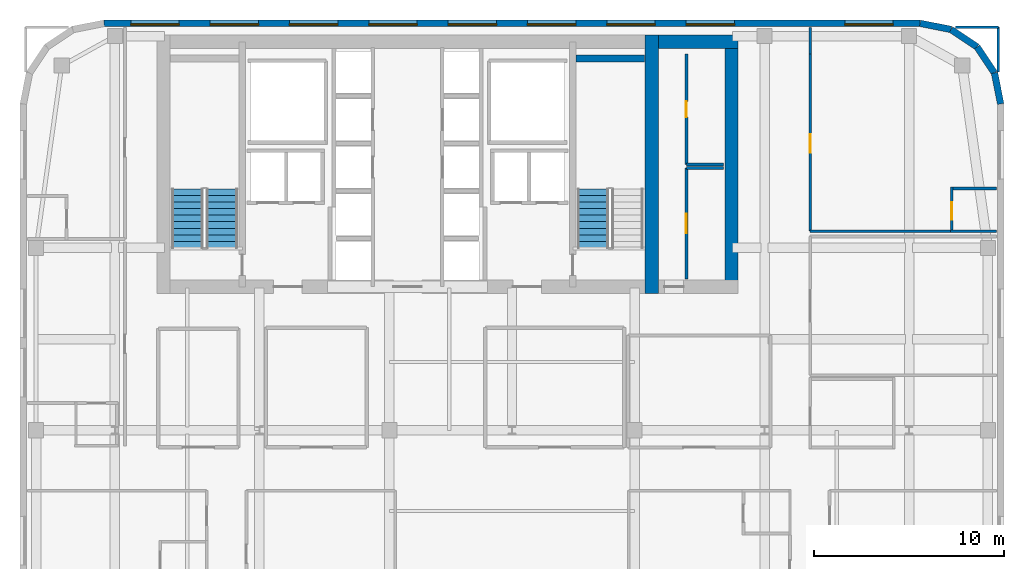
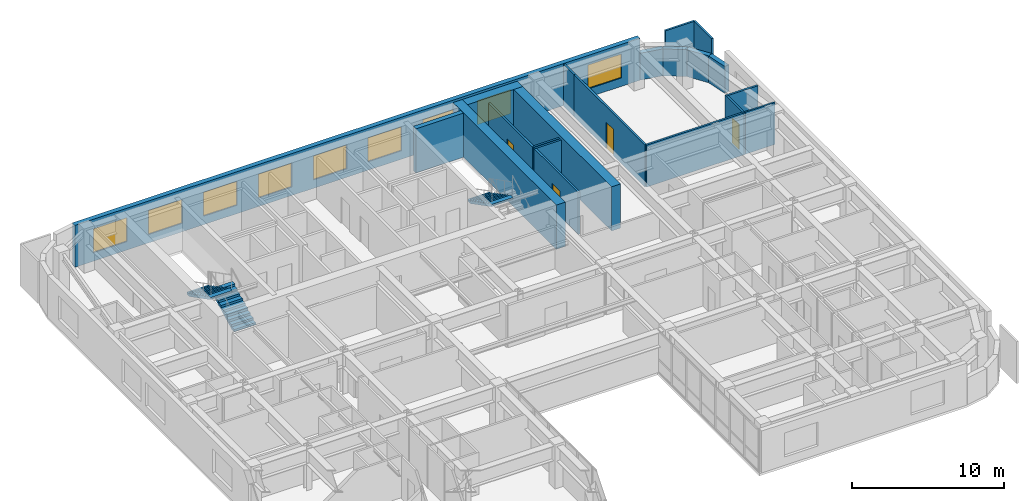
# One storey, part 12 of 14: 21 walls, 9 windows, 4 doors, 3 stair flights, 13 openings, 2 elements without a shape of their own.
"""IFC4 building model written with IfcOpenShell, lengths in metres."""

from ifc_helpers import new_model, si_unit, direction, frame, frame_2d, origin, place, context, subcontext, project, spatial, polyline, rectangle, outline, extrude, source, transform, mapped, material, layer, layer_set, type_object, type_shapes, element, fill, aggregate, save


model = new_model("IFC4")

# Units and contexts
model_context = context("Model", 3, precision=1e-05, world=origin(), true_north=direction((0.0, 1.0)))
body_context = subcontext(model_context, "Body", "Model", "MODEL_VIEW")
ifc_project = project(units=[si_unit("LENGTHUNIT", "METRE"), si_unit("AREAUNIT", "SQUARE_METRE"), si_unit("VOLUMEUNIT", "CUBIC_METRE"), si_unit("PLANEANGLEUNIT", "RADIAN"), si_unit("MASSUNIT", "GRAM", prefix="KILO")], contexts=[model_context])

# Site, building, storey
site_placement = place(None, origin())
site = spatial("IfcSite", under=ifc_project, at=site_placement, CompositionType="ELEMENT")
building_placement = place(site_placement, origin())
building = spatial("IfcBuilding", under=site, at=building_placement, Name="Tolvann Quenvar Hotel", CompositionType="ELEMENT")
storey_placement = place(building_placement, frame((0.0, 0.0, 150.60009765625)))
storey = spatial("IfcBuildingStorey", under=building, at=storey_placement, Name="L39", CompositionType="ELEMENT", Elevation=150.60009765625)

# Walls
ifc_material_1 = material(Name="Concrete S65 (65 MPa)", Category="concrete")
ifc_layer_1 = layer(ifc_material_1, 0.699951171875)
ifc_layer_set_1 = layer_set([ifc_layer_1], Name="Concrete S65 (65 MPa)")
wall_type_1 = type_object("IfcWallType", Name="WALL_CORE_700", PredefinedType="SHEAR", material=ifc_layer_set_1)
wall_1_placement = place(storey_placement, frame((35.85009765625, 31.60009765625, 0.0), z_axis=(0.0, 0.0, 1.0), x_axis=(0.0, 1.0, 0.0)))
element("IfcWall", 1, at=wall_1_placement, inside=storey, type_object=wall_type_1, Name="Rear Core E Shear Wall (L39)", PredefinedType="SHEAR", context=body_context, shape_type="SweptSolid", body=[
    extrude(rectangle(XDim=13.599853515625, YDim=0.699951171875, at=frame_2d((6.7998046875, 0.0))), origin(), (0.0, 0.0, 1.0), 3.5498046875),
])
wall_2_placement = place(storey_placement, frame((36.199951171875, 44.85009765625, 0.0), z_axis=(0.0, 0.0, 1.0), x_axis=(1.0, 0.0, 0.0)))
element("IfcWall", 2, at=wall_2_placement, inside=storey, type_object=wall_type_1, Name="Core East Annex Shear Wall ANN-N (L39)", PredefinedType="SHEAR", context=body_context, shape_type="SweptSolid", body=[
    extrude(rectangle(XDim=4.199951171875, YDim=0.699951171875, at=frame_2d((2.10009765625, 0.0))), origin(), (0.0, 0.0, 1.0), 3.5498046875),
])
wall_3_placement = place(storey_placement, frame((40.050048828125, 31.60009765625, 0.0), z_axis=(0.0, 0.0, 1.0), x_axis=(0.0, 1.0, 0.0)))
element("IfcWall", 3, at=wall_3_placement, inside=storey, type_object=wall_type_1, Name="Core East Annex Shear Wall ANN-E (L39)", PredefinedType="SHEAR", context=body_context, shape_type="SweptSolid", body=[
    extrude(rectangle(XDim=13.599853515625, YDim=0.699951171875, at=frame_2d((6.7998046875, 0.0))), origin(), (0.0, 0.0, 1.0), 3.5498046875),
])
ifc_layer_2 = layer(ifc_material_1, 0.35009765625)
ifc_layer_set_2 = layer_set([ifc_layer_2], Name="Concrete S65 (65 MPa)")
wall_type_2 = type_object("IfcWallType", Name="WALL_CORE_INT_350", PredefinedType="SHEAR", material=ifc_layer_set_2)
wall_4_placement = place(storey_placement, frame((31.8798828125, 43.97509765625, 0.0), z_axis=(0.0, 0.0, 1.0), x_axis=(1.0, 0.0, 0.0)))
element("IfcWall", 4, at=wall_4_placement, inside=storey, type_object=wall_type_2, Name="Core Stair North Closing Shear Wall STC2-N (L39)", PredefinedType="SHEAR", context=body_context, shape_type="SweptSolid", body=[
    extrude(rectangle(XDim=3.60009765625, YDim=0.35009765625, at=frame_2d((1.800048828125, 0.0))), origin(), (0.0, 0.0, 1.0), 3.5498046875),
])
ifc_material_2 = material(Name="Kiln-fired red and buff architectural clay brickwork and terracotta masonry", Category="masonry")
ifc_layer_3 = layer(ifc_material_2, 0.35009765625)
ifc_layer_set_3 = layer_set([ifc_layer_3], Name="Kiln-fired red and buff architectural clay brickwork and terracotta masonry")
wall_type_3 = type_object("IfcWallType", Name="WALL_EXT_BRICK_350", PredefinedType="SOLIDWALL", material=ifc_layer_set_3)
wall_5_placement = place(storey_placement, frame((54.22509765625, 41.582763671875, 0.0), z_axis=(0.0, 0.0, 1.0), x_axis=(-0.195044345786, 0.980794424524, 0.0)))
element("IfcWall", 5, at=wall_5_placement, inside=storey, type_object=wall_type_3, Name="Exterior Chicago Brick Wall L39-E14", PredefinedType="SOLIDWALL", context=body_context, shape_type="SweptSolid", body=[
    extrude(rectangle(XDim=1.664794921875, YDim=0.35009765625, at=frame_2d((0.83251953125, 0.0))), origin(), (0.0, 0.0, 1.0), 2.159912109375),
])
for number, where, z_axis, x_axis, name in (
    (6, (53.900390625, 43.215576171875, 0.0), (0.0, 0.0, 1.0), (-0.555623290322, 0.831434158098, 0.0), "Exterior Chicago Brick Wall L39-E15"),
    (7, (52.985107421875, 44.585205078125, 0.0), (0.0, 0.0, 1.0), (-0.831502623162, 0.555520825599, 0.0), "Exterior Chicago Brick Wall L39-E16"),
):
    element("IfcWall", number, at=place(storey_placement, frame(where, z_axis=z_axis, x_axis=x_axis)), inside=storey, type_object=wall_type_3, Name=name, PredefinedType="SOLIDWALL", context=body_context, shape_type="SweptSolid", body=[
        extrude(rectangle(XDim=1.647216796875, YDim=0.35009765625, at=frame_2d((0.82373046875, 0.0))), origin(), (0.0, 0.0, 1.0), 2.159912109375),
    ])
wall_6_placement = place(storey_placement, frame((51.615478515625, 45.500244140625, 0.0), z_axis=(0.0, 0.0, 1.0), x_axis=(-0.980788844421, 0.195072403631, 0.0)))
element("IfcWall", 8, at=wall_6_placement, inside=storey, type_object=wall_type_3, Name="Exterior Chicago Brick Wall L39-E17", PredefinedType="SOLIDWALL", context=body_context, shape_type="SweptSolid", body=[
    extrude(rectangle(XDim=1.66455078125, YDim=0.35009765625, at=frame_2d((0.832275390625, 0.0))), origin(), (0.0, 0.0, 1.0), 2.159912109375),
])

# Wall, openings, windows
wall_7_placement = place(storey_placement, frame((49.98291015625, 45.824951171875, 0.0), z_axis=(0.0, 0.0, 1.0), x_axis=(-1.0, 0.0, 0.0)))
wall_7 = element("IfcWall", 9, at=wall_7_placement, inside=storey, type_object=wall_type_3, Name="Exterior Chicago Brick Wall L39-E18", PredefinedType="SOLIDWALL", context=body_context, shape_type="SweptSolid", body=[
    extrude(rectangle(XDim=42.9658203125, YDim=0.35009765625, at=frame_2d((21.48291015625, 0.0))), origin(), (0.0, 0.0, 1.0), 3.369873046875),
])
opening_1_placement = place(wall_7_placement, frame((1.4130859375, 0.0, 0.679931640625)))
opening_1 = element("IfcOpeningElement", 10, at=opening_1_placement, cuts=wall_7, Name="Opening W-09", PredefinedType="OPENING", context=body_context, shape_type="SweptSolid", body=[
    extrude(rectangle(XDim=2.550048828125, YDim=1.919921875, at=frame_2d((1.27490234375, 0.9599609375))), frame((0.0, 0.18505859375, 0.0), z_axis=(0.0, -1.0, 0.0), x_axis=(1.0, 0.0, 0.0)), (0.0, 0.0, 1.0), 0.3701171875),
])
opening_2_placement = place(wall_7_placement, frame((9.76611328125, 0.0, 0.679931640625)))
opening_2 = element("IfcOpeningElement", 11, at=opening_2_placement, cuts=wall_7, Name="Opening W-09", PredefinedType="OPENING", context=body_context, shape_type="SweptSolid", body=[
    extrude(rectangle(XDim=2.550048828125, YDim=1.919921875, at=frame_2d((1.27490234375, 0.9599609375))), frame((0.0, 0.18505859375, 0.0), z_axis=(0.0, -1.0, 0.0), x_axis=(1.0, 0.0, 0.0)), (0.0, 0.0, 1.0), 0.3701171875),
])
opening_3_placement = place(wall_7_placement, frame((13.943115234375, 0.0, 0.679931640625)))
opening_3 = element("IfcOpeningElement", 12, at=opening_3_placement, cuts=wall_7, Name="Opening W-09", PredefinedType="OPENING", context=body_context, shape_type="SweptSolid", body=[
    extrude(rectangle(XDim=2.550048828125, YDim=1.919921875, at=frame_2d((1.27490234375, 0.9599609375))), frame((0.0, 0.18505859375, 0.0), z_axis=(0.0, -1.0, 0.0), x_axis=(1.0, 0.0, 0.0)), (0.0, 0.0, 1.0), 0.3701171875),
])
opening_4_placement = place(wall_7_placement, frame((18.1201171875, 0.0, 0.679931640625)))
opening_4 = element("IfcOpeningElement", 13, at=opening_4_placement, cuts=wall_7, Name="Opening W-09", PredefinedType="OPENING", context=body_context, shape_type="SweptSolid", body=[
    extrude(rectangle(XDim=2.550048828125, YDim=1.919921875, at=frame_2d((1.27490234375, 0.9599609375))), frame((0.0, 0.18505859375, 0.0), z_axis=(0.0, -1.0, 0.0), x_axis=(1.0, 0.0, 0.0)), (0.0, 0.0, 1.0), 0.3701171875),
])
opening_5_placement = place(wall_7_placement, frame((22.2958984375, 0.0, 0.679931640625)))
opening_5 = element("IfcOpeningElement", 14, at=opening_5_placement, cuts=wall_7, Name="Opening W-09", PredefinedType="OPENING", context=body_context, shape_type="SweptSolid", body=[
    extrude(rectangle(XDim=2.550048828125, YDim=1.919921875, at=frame_2d((1.27490234375, 0.9599609375))), frame((0.0, 0.18505859375, 0.0), z_axis=(0.0, -1.0, 0.0), x_axis=(1.0, 0.0, 0.0)), (0.0, 0.0, 1.0), 0.3701171875),
])
opening_6_placement = place(wall_7_placement, frame((26.472900390625, 0.0, 0.679931640625)))
opening_6 = element("IfcOpeningElement", 15, at=opening_6_placement, cuts=wall_7, Name="Opening W-09", PredefinedType="OPENING", context=body_context, shape_type="SweptSolid", body=[
    extrude(rectangle(XDim=2.550048828125, YDim=1.919921875, at=frame_2d((1.27490234375, 0.9599609375))), frame((0.0, 0.18505859375, 0.0), z_axis=(0.0, -1.0, 0.0), x_axis=(1.0, 0.0, 0.0)), (0.0, 0.0, 1.0), 0.3701171875),
])
opening_7_placement = place(wall_7_placement, frame((30.64892578125, 0.0, 0.679931640625)))
opening_7 = element("IfcOpeningElement", 16, at=opening_7_placement, cuts=wall_7, Name="Opening W-09", PredefinedType="OPENING", context=body_context, shape_type="SweptSolid", body=[
    extrude(rectangle(XDim=2.550048828125, YDim=1.919921875, at=frame_2d((1.27490234375, 0.9599609375))), frame((0.0, 0.18505859375, 0.0), z_axis=(0.0, -1.0, 0.0), x_axis=(1.0, 0.0, 0.0)), (0.0, 0.0, 1.0), 0.3701171875),
])
opening_8_placement = place(wall_7_placement, frame((34.825927734375, 0.0, 0.679931640625)))
opening_8 = element("IfcOpeningElement", 17, at=opening_8_placement, cuts=wall_7, Name="Opening W-09", PredefinedType="OPENING", context=body_context, shape_type="SweptSolid", body=[
    extrude(rectangle(XDim=2.550048828125, YDim=1.919921875, at=frame_2d((1.27490234375, 0.9599609375))), frame((0.0, 0.18505859375, 0.0), z_axis=(0.0, -1.0, 0.0), x_axis=(1.0, 0.0, 0.0)), (0.0, 0.0, 1.0), 0.3701171875),
])
opening_9_placement = place(wall_7_placement, frame((39.001953125, 0.0, 0.679931640625)))
opening_9 = element("IfcOpeningElement", 18, at=opening_9_placement, cuts=wall_7, Name="Opening W-09", PredefinedType="OPENING", context=body_context, shape_type="SweptSolid", body=[
    extrude(rectangle(XDim=2.550048828125, YDim=1.919921875, at=frame_2d((1.27490234375, 0.9599609375))), frame((0.0, 0.18505859375, 0.0), z_axis=(0.0, -1.0, 0.0), x_axis=(1.0, 0.0, 0.0)), (0.0, 0.0, 1.0), 0.3701171875),
])
ifc_material_3 = material(Name="Thermally broken bronze-anodised aluminium frame with double low-E glazing", Category="aluminium")
window_type = type_object("IfcWindowType", Name="WIN_LNG_2550x1950", PartitioningType="TRIPLE_PANEL_HORIZONTAL", PredefinedType="WINDOW", material=ifc_material_3)
shared_shape_1 = source(origin(), body_context, "Body", "SweptSolid", [
    extrude(rectangle(XDim=2.550048828125, YDim=1.919921875, at=frame_2d((1.27490234375, 0.9599609375))), frame((0.0, 0.090087890625, 0.0), z_axis=(0.0, -1.0, 0.0), x_axis=(1.0, 0.0, 0.0)), (0.0, 0.0, 1.0), 0.06005859375),
])
type_shapes(window_type, [shared_shape_1])
window_1_placement = place(opening_1_placement, origin())
window_1 = element("IfcWindow", 19, at=window_1_placement, inside=storey, type_object=window_type, Name="Chicago Window W-09 (EW-L39-E18-W01)", OverallHeight=1.919921875, OverallWidth=2.550048828125, PartitioningType="TRIPLE_PANEL_HORIZONTAL", PredefinedType="WINDOW", context=body_context, shape_type="MappedRepresentation", body=[
    mapped(shared_shape_1, transform((0.0, 0.0, 0.0), x_axis=(1.0, 0.0, 0.0), y_axis=(0.0, 1.0, 0.0), z_axis=(0.0, 0.0, 1.0), scale=1.0)),
])
fill(opening_1, window_1)
window_2_placement = place(opening_2_placement, origin())
window_2 = element("IfcWindow", 20, at=window_2_placement, inside=storey, type_object=window_type, Name="Chicago Window W-09 (EW-L39-E18-W02)", OverallHeight=1.919921875, OverallWidth=2.550048828125, PartitioningType="TRIPLE_PANEL_HORIZONTAL", PredefinedType="WINDOW", context=body_context, shape_type="MappedRepresentation", body=[
    mapped(shared_shape_1, transform((0.0, 0.0, 0.0), x_axis=(1.0, 0.0, 0.0), y_axis=(0.0, 1.0, 0.0), z_axis=(0.0, 0.0, 1.0), scale=1.0)),
])
fill(opening_2, window_2)
window_3_placement = place(opening_3_placement, origin())
window_3 = element("IfcWindow", 21, at=window_3_placement, inside=storey, type_object=window_type, Name="Chicago Window W-09 (EW-L39-E18-W03)", OverallHeight=1.919921875, OverallWidth=2.550048828125, PartitioningType="TRIPLE_PANEL_HORIZONTAL", PredefinedType="WINDOW", context=body_context, shape_type="MappedRepresentation", body=[
    mapped(shared_shape_1, transform((0.0, 0.0, 0.0), x_axis=(1.0, 0.0, 0.0), y_axis=(0.0, 1.0, 0.0), z_axis=(0.0, 0.0, 1.0), scale=1.0)),
])
fill(opening_3, window_3)
window_4_placement = place(opening_4_placement, origin())
window_4 = element("IfcWindow", 22, at=window_4_placement, inside=storey, type_object=window_type, Name="Chicago Window W-09 (EW-L39-E18-W04)", OverallHeight=1.919921875, OverallWidth=2.550048828125, PartitioningType="TRIPLE_PANEL_HORIZONTAL", PredefinedType="WINDOW", context=body_context, shape_type="MappedRepresentation", body=[
    mapped(shared_shape_1, transform((0.0, 0.0, 0.0), x_axis=(1.0, 0.0, 0.0), y_axis=(0.0, 1.0, 0.0), z_axis=(0.0, 0.0, 1.0), scale=1.0)),
])
fill(opening_4, window_4)
window_5_placement = place(opening_5_placement, origin())
window_5 = element("IfcWindow", 23, at=window_5_placement, inside=storey, type_object=window_type, Name="Chicago Window W-09 (EW-L39-E18-W05)", OverallHeight=1.919921875, OverallWidth=2.550048828125, PartitioningType="TRIPLE_PANEL_HORIZONTAL", PredefinedType="WINDOW", context=body_context, shape_type="MappedRepresentation", body=[
    mapped(shared_shape_1, transform((0.0, 0.0, 0.0), x_axis=(1.0, 0.0, 0.0), y_axis=(0.0, 1.0, 0.0), z_axis=(0.0, 0.0, 1.0), scale=1.0)),
])
fill(opening_5, window_5)
window_6_placement = place(opening_6_placement, origin())
window_6 = element("IfcWindow", 24, at=window_6_placement, inside=storey, type_object=window_type, Name="Chicago Window W-09 (EW-L39-E18-W06)", OverallHeight=1.919921875, OverallWidth=2.550048828125, PartitioningType="TRIPLE_PANEL_HORIZONTAL", PredefinedType="WINDOW", context=body_context, shape_type="MappedRepresentation", body=[
    mapped(shared_shape_1, transform((0.0, 0.0, 0.0), x_axis=(1.0, 0.0, 0.0), y_axis=(0.0, 1.0, 0.0), z_axis=(0.0, 0.0, 1.0), scale=1.0)),
])
fill(opening_6, window_6)
window_7_placement = place(opening_7_placement, origin())
window_7 = element("IfcWindow", 25, at=window_7_placement, inside=storey, type_object=window_type, Name="Chicago Window W-09 (EW-L39-E18-W07)", OverallHeight=1.919921875, OverallWidth=2.550048828125, PartitioningType="TRIPLE_PANEL_HORIZONTAL", PredefinedType="WINDOW", context=body_context, shape_type="MappedRepresentation", body=[
    mapped(shared_shape_1, transform((0.0, 0.0, 0.0), x_axis=(1.0, 0.0, 0.0), y_axis=(0.0, 1.0, 0.0), z_axis=(0.0, 0.0, 1.0), scale=1.0)),
])
fill(opening_7, window_7)
window_8_placement = place(opening_8_placement, origin())
window_8 = element("IfcWindow", 26, at=window_8_placement, inside=storey, type_object=window_type, Name="Chicago Window W-09 (EW-L39-E18-W08)", OverallHeight=1.919921875, OverallWidth=2.550048828125, PartitioningType="TRIPLE_PANEL_HORIZONTAL", PredefinedType="WINDOW", context=body_context, shape_type="MappedRepresentation", body=[
    mapped(shared_shape_1, transform((0.0, 0.0, 0.0), x_axis=(1.0, 0.0, 0.0), y_axis=(0.0, 1.0, 0.0), z_axis=(0.0, 0.0, 1.0), scale=1.0)),
])
fill(opening_8, window_8)
window_9_placement = place(opening_9_placement, origin())
window_9 = element("IfcWindow", 27, at=window_9_placement, inside=storey, type_object=window_type, Name="Chicago Window W-09 (EW-L39-E18-W09)", OverallHeight=1.919921875, OverallWidth=2.550048828125, PartitioningType="TRIPLE_PANEL_HORIZONTAL", PredefinedType="WINDOW", context=body_context, shape_type="MappedRepresentation", body=[
    mapped(shared_shape_1, transform((0.0, 0.0, 0.0), x_axis=(1.0, 0.0, 0.0), y_axis=(0.0, 1.0, 0.0), z_axis=(0.0, 0.0, 1.0), scale=1.0)),
])
fill(opening_9, window_9)

# Wall
ifc_material_4 = material(Name="Moisture-resistant acoustic plumbing wall assembly")
ifc_layer_4 = layer(ifc_material_4, 0.1201171875)
ifc_layer_set_4 = layer_set([ifc_layer_4], Name="Moisture-resistant acoustic plumbing wall assembly")
wall_type_4 = type_object("IfcWallType", Name="WALL_PART_BATH_120", PredefinedType="PLUMBINGWALL", material=ifc_layer_set_4)
wall_8_placement = place(storey_placement, frame((51.580078125, 34.8798828125, 0.0), z_axis=(0.0, 0.0, 1.0), x_axis=(1.0, 0.0, 0.0)))
element("IfcWall", 28, at=wall_8_placement, inside=storey, type_object=wall_type_4, Name="Non-Rated Plumbing Partition PT-SPC-L39-ENS-NE01-S", PredefinedType="PLUMBINGWALL", context=body_context, shape_type="SweptSolid", body=[
    extrude(rectangle(XDim=2.4150390625, YDim=0.1201171875, at=frame_2d((1.20751953125, 0.0))), origin(), (0.0, 0.0, 1.0), 3.369873046875),
])

# Wall, opening, door
ifc_material_5 = material(Name="Acoustic twin-stud fire-rated gypsum plasterboard partition")
ifc_layer_5 = layer(ifc_material_5, 0.14990234375)
ifc_layer_set_5 = layer_set([ifc_layer_5], Name="Acoustic twin-stud fire-rated gypsum plasterboard partition")
wall_type_5 = type_object("IfcWallType", Name="WALL_PART_SUITE_150", PredefinedType="PARTITIONING", material=ifc_layer_set_5)
wall_9_placement = place(storey_placement, frame((51.64990234375, 34.81005859375, 0.0), z_axis=(0.0, 0.0, 1.0), x_axis=(0.0, 1.0, 0.0)))
wall_9 = element("IfcWall", 29, at=wall_9_placement, inside=storey, type_object=wall_type_5, Name="Interior Partition PT-SPC-L39-ENS-NE01-ENT", PredefinedType="PARTITIONING", context=body_context, shape_type="SweptSolid", body=[
    extrude(rectangle(XDim=2.389892578125, YDim=0.14990234375, at=frame_2d((1.19482421875, 0.0))), origin(), (0.0, 0.0, 1.0), 3.369873046875),
])
opening_10_placement = place(wall_9_placement, frame((0.6650390625, 0.0, 0.0)))
opening_10 = element("IfcOpeningElement", 30, at=opening_10_placement, cuts=wall_9, Name="Opening WD-01", PredefinedType="OPENING", context=body_context, shape_type="SweptSolid", body=[
    extrude(rectangle(XDim=0.919921875, YDim=2.010009765625, at=frame_2d((0.4599609375, 1.0048828125))), frame((0.0, 0.0849609375, 0.0), z_axis=(0.0, -1.0, 0.0), x_axis=(1.0, 0.0, 0.0)), (0.0, 0.0, 1.0), 0.169921875),
])
ifc_material_6 = material(Name="Solid-core American oak acoustic fire door leaf in steel frame", Category="steel")
door_type_1 = type_object("IfcDoorType", Name="DOOR_WC_920", OperationType="NOTDEFINED", PredefinedType="DOOR", material=ifc_material_6)
shared_shape_2 = source(origin(), body_context, "Body", "SweptSolid", [
    extrude(rectangle(XDim=0.919921875, YDim=2.010009765625, at=frame_2d((0.4599609375, 1.0048828125))), frame((0.0, 0.02490234375, 0.0), z_axis=(0.0, -1.0, 0.0), x_axis=(1.0, 0.0, 0.0)), (0.0, 0.0, 1.0), 0.050048828125),
])
type_shapes(door_type_1, [shared_shape_2])
door_1_placement = place(opening_10_placement, origin())
door_1 = element("IfcDoor", 31, at=door_1_placement, inside=storey, type_object=door_type_1, Name="Interior Door DOOR-SPC-L39-ENS-NE01", OperationType="SINGLE_SWING_LEFT", OverallHeight=2.010009765625, OverallWidth=0.919921875, PredefinedType="DOOR", context=body_context, shape_type="MappedRepresentation", body=[
    mapped(shared_shape_2, transform((0.0, 0.0, 0.0), x_axis=(1.0, 0.0, 0.0), y_axis=(0.0, 1.0, 0.0), z_axis=(0.0, 0.0, 1.0), scale=1.0)),
])
fill(opening_10, door_1)

# Walls
wall_10_placement = place(storey_placement, frame((51.580078125, 37.1298828125, 0.0), z_axis=(0.0, 0.0, 1.0), x_axis=(1.0, 0.0, 0.0)))
element("IfcWall", 32, at=wall_10_placement, inside=storey, type_object=wall_type_5, Name="Interior Partition PT-SPC-L39-ENS-NE01-N", PredefinedType="PARTITIONING", context=body_context, shape_type="SweptSolid", body=[
    extrude(rectangle(XDim=2.4150390625, YDim=0.14990234375, at=frame_2d((1.20751953125, 0.0))), origin(), (0.0, 0.0, 1.0), 3.369873046875),
])
wall_11_placement = place(storey_placement, frame((37.679931640625, 38.199951171875, 0.0), z_axis=(0.0, 0.0, 1.0), x_axis=(1.0, 0.0, 0.0)))
element("IfcWall", 33, at=wall_11_placement, inside=storey, type_object=wall_type_5, Name="Interior Partition PT-SPC-L39-RECPL-1-N", PredefinedType="PARTITIONING", context=body_context, shape_type="SweptSolid", body=[
    extrude(rectangle(XDim=1.965087890625, YDim=0.14990234375, at=frame_2d((0.982421875, 0.0))), origin(), (0.0, 0.0, 1.0), 3.369873046875),
])

# Wall, opening, door
wall_12_placement = place(storey_placement, frame((37.679931640625, 32.35498046875, 0.0), z_axis=(0.0, 0.0, 1.0), x_axis=(0.0, 1.0, 0.0)))
wall_12 = element("IfcWall", 34, at=wall_12_placement, inside=storey, type_object=wall_type_5, Name="Interior Partition PT-SPC-L39-RECPL-1-W", PredefinedType="PARTITIONING", context=body_context, shape_type="SweptSolid", body=[
    extrude(rectangle(XDim=5.844970703125, YDim=0.14990234375, at=frame_2d((2.92236328125, 0.0))), origin(), (0.0, 0.0, 1.0), 3.369873046875),
])
opening_11_placement = place(wall_12_placement, frame((2.41259765625, 0.0, 0.0)))
opening_11 = element("IfcOpeningElement", 35, at=opening_11_placement, cuts=wall_12, Name="Opening HD-01", PredefinedType="OPENING", context=body_context, shape_type="SweptSolid", body=[
    extrude(rectangle(XDim=1.02001953125, YDim=2.030029296875, at=frame_2d((0.510009765625, 1.01513671875))), frame((0.0, 0.0849609375, 0.0), z_axis=(0.0, -1.0, 0.0), x_axis=(1.0, 0.0, 0.0)), (0.0, 0.0, 1.0), 0.169921875),
])
ifc_material_7 = material(Name="Pressed galvanised steel fire-rated door set", Category="steel")
door_type_2 = type_object("IfcDoorType", Name="DOOR_BOH_1020", OperationType="NOTDEFINED", PredefinedType="DOOR", material=ifc_material_7)
shared_shape_3 = source(origin(), body_context, "Body", "SweptSolid", [
    extrude(rectangle(XDim=1.02001953125, YDim=2.030029296875, at=frame_2d((0.510009765625, 1.01513671875))), frame((0.0, 0.02490234375, 0.0), z_axis=(0.0, -1.0, 0.0), x_axis=(1.0, 0.0, 0.0)), (0.0, 0.0, 1.0), 0.050048828125),
])
type_shapes(door_type_2, [shared_shape_3])
door_2_placement = place(opening_11_placement, origin())
door_2 = element("IfcDoor", 36, at=door_2_placement, inside=storey, type_object=door_type_2, Name="Interior Door DOOR-SPC-L39-RECPL-1", OperationType="SINGLE_SWING_RIGHT", OverallHeight=2.030029296875, OverallWidth=1.02001953125, PredefinedType="DOOR", context=body_context, shape_type="MappedRepresentation", body=[
    mapped(shared_shape_3, transform((0.0, 0.0, 0.0), x_axis=(1.0, 0.0, 0.0), y_axis=(0.0, 1.0, 0.0), z_axis=(0.0, 0.0, 1.0), scale=1.0)),
])
fill(opening_11, door_2)

# Wall
wall_13_placement = place(storey_placement, frame((37.679931640625, 38.39990234375, 0.0), z_axis=(0.0, 0.0, 1.0), x_axis=(1.0, 0.0, 0.0)))
element("IfcWall", 37, at=wall_13_placement, inside=storey, type_object=wall_type_5, Name="Interior Partition PT-SPC-L39-CSE-1-S", PredefinedType="PARTITIONING", context=body_context, shape_type="SweptSolid", body=[
    extrude(rectangle(XDim=1.965087890625, YDim=0.14990234375, at=frame_2d((0.982421875, 0.0))), origin(), (0.0, 0.0, 1.0), 3.369873046875),
])

# Wall, opening, door
wall_14_placement = place(storey_placement, frame((37.679931640625, 38.39990234375, 0.0), z_axis=(0.0, 0.0, 1.0), x_axis=(0.0, 1.0, 0.0)))
wall_14 = element("IfcWall", 38, at=wall_14_placement, inside=storey, type_object=wall_type_5, Name="Interior Partition PT-SPC-L39-CSE-1-W", PredefinedType="PARTITIONING", context=body_context, shape_type="SweptSolid", body=[
    extrude(rectangle(XDim=5.800048828125, YDim=0.14990234375, at=frame_2d((2.89990234375, 0.0))), origin(), (0.0, 0.0, 1.0), 3.369873046875),
])
opening_12_placement = place(wall_14_placement, frame((2.489990234375, 0.0, 0.0)))
opening_12 = element("IfcOpeningElement", 39, at=opening_12_placement, cuts=wall_14, Name="Opening HD-02", PredefinedType="OPENING", context=body_context, shape_type="SweptSolid", body=[
    extrude(rectangle(XDim=0.820068359375, YDim=2.010009765625, at=frame_2d((0.41015625, 1.0048828125))), frame((0.0, 0.0849609375, 0.0), z_axis=(0.0, -1.0, 0.0), x_axis=(1.0, 0.0, 0.0)), (0.0, 0.0, 1.0), 0.169921875),
])
door_type_3 = type_object("IfcDoorType", Name="DOOR_STORE_820", OperationType="NOTDEFINED", PredefinedType="DOOR", material=ifc_material_7)
shared_shape_4 = source(origin(), body_context, "Body", "SweptSolid", [
    extrude(rectangle(XDim=0.820068359375, YDim=2.010009765625, at=frame_2d((0.41015625, 1.0048828125))), frame((0.0, 0.02490234375, 0.0), z_axis=(0.0, -1.0, 0.0), x_axis=(1.0, 0.0, 0.0)), (0.0, 0.0, 1.0), 0.050048828125),
])
type_shapes(door_type_3, [shared_shape_4])
door_3_placement = place(opening_12_placement, origin())
door_3 = element("IfcDoor", 40, at=door_3_placement, inside=storey, type_object=door_type_3, Name="Interior Door DOOR-SPC-L39-CSE-1", OperationType="SINGLE_SWING_LEFT", OverallHeight=2.010009765625, OverallWidth=0.820068359375, PredefinedType="DOOR", context=body_context, shape_type="MappedRepresentation", body=[
    mapped(shared_shape_4, transform((0.0, 0.0, 0.0), x_axis=(1.0, 0.0, 0.0), y_axis=(0.0, 1.0, 0.0), z_axis=(0.0, 0.0, 1.0), scale=1.0)),
])
fill(opening_12, door_3)

wall_15_placement = place(storey_placement, frame((44.199951171875, 34.8798828125, 0.0), z_axis=(0.0, 0.0, 1.0), x_axis=(0.0, 1.0, 0.0)))
wall_15 = element("IfcWall", 41, at=wall_15_placement, inside=storey, type_object=wall_type_5, Name="Interior Partition PT-SPC-L39-RM-NE01-ENT", PredefinedType="PARTITIONING", context=body_context, shape_type="SweptSolid", body=[
    extrude(rectangle(XDim=9.330078125, YDim=0.14990234375, at=frame_2d((4.6650390625, 0.0))), origin(), (0.0, 0.0, 1.0), 3.369873046875),
])
opening_13_placement = place(wall_15_placement, frame((4.1201171875, 0.0, 0.0)))
opening_13 = element("IfcOpeningElement", 42, at=opening_13_placement, cuts=wall_15, Name="Opening SD-01", PredefinedType="OPENING", context=body_context, shape_type="SweptSolid", body=[
    extrude(rectangle(XDim=0.97998046875, YDim=2.1201171875, at=frame_2d((0.489990234375, 1.06005859375))), frame((0.0, 0.0849609375, 0.0), z_axis=(0.0, -1.0, 0.0), x_axis=(1.0, 0.0, 0.0)), (0.0, 0.0, 1.0), 0.169921875),
])
door_type_4 = type_object("IfcDoorType", Name="DOOR_SUITE_980", OperationType="NOTDEFINED", PredefinedType="DOOR", material=ifc_material_6)
shared_shape_5 = source(origin(), body_context, "Body", "SweptSolid", [
    extrude(rectangle(XDim=0.97998046875, YDim=2.1201171875, at=frame_2d((0.489990234375, 1.06005859375))), frame((0.0, 0.02490234375, 0.0), z_axis=(0.0, -1.0, 0.0), x_axis=(1.0, 0.0, 0.0)), (0.0, 0.0, 1.0), 0.050048828125),
])
type_shapes(door_type_4, [shared_shape_5])
door_4_placement = place(opening_13_placement, origin())
door_4 = element("IfcDoor", 43, at=door_4_placement, inside=storey, type_object=door_type_4, Name="Interior Door DOOR-SPC-L39-RM-NE01", OperationType="SINGLE_SWING_RIGHT", OverallHeight=2.1201171875, OverallWidth=0.97998046875, PredefinedType="DOOR", context=body_context, shape_type="MappedRepresentation", body=[
    mapped(shared_shape_5, transform((0.0, 0.0, 0.0), x_axis=(1.0, 0.0, 0.0), y_axis=(0.0, 1.0, 0.0), z_axis=(0.0, 0.0, 1.0), scale=1.0)),
])
fill(opening_13, door_4)

# Walls
wall_16_placement = place(storey_placement, frame((44.199951171875, 34.8798828125, 0.0), z_axis=(0.0, 0.0, 1.0), x_axis=(1.0, 0.0, 0.0)))
element("IfcWall", 44, at=wall_16_placement, inside=storey, type_object=wall_type_5, Name="Interior Partition PT-SPC-L39-RM-NE01-E1", PredefinedType="PARTITIONING", context=body_context, shape_type="SweptSolid", body=[
    extrude(rectangle(XDim=7.429931640625, YDim=0.14990234375, at=frame_2d((3.71484375, 0.0))), origin(), (0.0, 0.0, 1.0), 3.369873046875),
])
wall_17_placement = place(storey_placement, frame((54.10009765625, 43.2548828125, 0.0), z_axis=(0.0, 0.0, 1.0), x_axis=(0.0, 1.0, 0.0)))
element("IfcWall", 45, at=wall_17_placement, inside=storey, type_object=wall_type_5, Name="Interior Partition PT-SPC-L39-RM-NE01-E4", PredefinedType="PARTITIONING", context=body_context, shape_type="SweptSolid", body=[
    extrude(rectangle(XDim=2.365234375, YDim=0.14990234375, at=frame_2d((1.1826171875, 0.0))), origin(), (0.0, 0.0, 1.0), 3.369873046875),
])
wall_18_placement = place(storey_placement, frame((51.85009765625, 45.6201171875, 0.0), z_axis=(0.0, 0.0, 1.0), x_axis=(1.0, 0.0, 0.0)))
element("IfcWall", 46, at=wall_18_placement, inside=storey, type_object=wall_type_5, Name="Interior Partition PT-SPC-L39-RM-NE01-E5", PredefinedType="PARTITIONING", context=body_context, shape_type="SweptSolid", body=[
    extrude(rectangle(XDim=2.25, YDim=0.14990234375, at=frame_2d((1.125, 0.0))), origin(), (0.0, 0.0, 1.0), 3.369873046875),
])
wall_19_placement = place(storey_placement, frame((44.199951171875, 44.219970703125, 0.0), z_axis=(0.0, 0.0, 1.0), x_axis=(0.0, 1.0, 0.0)))
element("IfcWall", 47, at=wall_19_placement, inside=storey, type_object=wall_type_5, Name="Interior Partition PT-SPC-L39-RM-NE01-E6", PredefinedType="PARTITIONING", context=body_context, shape_type="SweptSolid", body=[
    extrude(rectangle(XDim=1.375, YDim=0.14990234375, at=frame_2d((0.6875, 0.0))), origin(), (0.0, 0.0, 1.0), 3.369873046875),
])

# Stair, stair flights
ifc_material_8 = material(Name="Concrete N40 (40 MPa)", Category="concrete")
stair_type = type_object("IfcStairType", Name="STAIR", PredefinedType="HALF_TURN_STAIR", material=ifc_material_8)
stair_1_placement = place(storey_placement, origin())
stair_1 = element("IfcStair", 48, at=stair_1_placement, inside=storey, type_object=stair_type, Name="L39 ST-C1", PredefinedType="HALF_TURN_STAIR")
stair_flight_type = type_object("IfcStairFlightType", Name="STAIR_FLIGHT", PredefinedType="STRAIGHT", material=ifc_material_8)
stair_flight_1_placement = place(storey_placement, frame((13.22509765625, 34.0, 0.0), z_axis=(0.0, 0.0, 1.0), x_axis=(0.0, 1.0, 0.0)))
stair_flight_1 = element("IfcStairFlight", 49, at=stair_flight_1_placement, type_object=stair_flight_type, Name="ST-C1 flight 1", NumberOfRisers=10, NumberOfTreads=9, PredefinedType="STRAIGHT", RiserHeight=0.1775, TreadLength=0.345, context=body_context, shape_type="SweptSolid", body=[
    extrude(outline(polyline([(0.0, 0.0), (0.0, 0.177490234375), (0.344970703125, 0.177490234375), (0.344970703125, 0.35498046875), (0.68994140625, 0.35498046875), (0.68994140625, 0.532470703125), (1.034912109375, 0.532470703125), (1.034912109375, 0.7099609375), (1.3798828125, 0.7099609375), (1.3798828125, 0.887451171875), (1.72509765625, 0.887451171875), (1.72509765625, 1.06494140625), (2.070068359375, 1.06494140625), (2.070068359375, 1.242431640625), (2.4150390625, 1.242431640625), (2.4150390625, 1.419921875), (2.760009765625, 1.419921875), (2.760009765625, 1.597412109375), (3.10498046875, 1.597412109375), (3.10498046875, 1.77490234375), (3.10498046875, 1.428955078125), (0.32763671875, 0.0), (0.0, 0.0)])), frame((0.0, 0.824951171875, 0.0), z_axis=(0.0, -1.0, 0.0), x_axis=(1.0, 0.0, 0.0)), (0.0, 0.0, 1.0), 1.64990234375),
])
stair_flight_2_placement = place(storey_placement, frame((11.425048828125, 37.10498046875, 1.77490234375), z_axis=(0.0, 0.0, 1.0), x_axis=(0.0, -1.0, 0.0)))
stair_flight_2 = element("IfcStairFlight", 50, at=stair_flight_2_placement, type_object=stair_flight_type, Name="ST-C1 flight 2", NumberOfRisers=10, NumberOfTreads=9, PredefinedType="STRAIGHT", RiserHeight=0.1775, TreadLength=0.345, context=body_context, shape_type="SweptSolid", body=[
    extrude(outline(polyline([(0.0, 0.0), (0.0, 0.177490234375), (0.344970703125, 0.177490234375), (0.344970703125, 0.35498046875), (0.68994140625, 0.35498046875), (0.68994140625, 0.532470703125), (1.034912109375, 0.532470703125), (1.034912109375, 0.7099609375), (1.3798828125, 0.7099609375), (1.3798828125, 0.887451171875), (1.72509765625, 0.887451171875), (1.72509765625, 1.06494140625), (2.070068359375, 1.06494140625), (2.070068359375, 1.242431640625), (2.4150390625, 1.242431640625), (2.4150390625, 1.419921875), (2.760009765625, 1.419921875), (2.760009765625, 1.597412109375), (3.10498046875, 1.597412109375), (3.10498046875, 1.77490234375), (3.10498046875, 1.428955078125), (0.32763671875, 0.0), (0.0, 0.0)])), frame((0.0, 0.824951171875, 0.0), z_axis=(0.0, -1.0, 0.0), x_axis=(1.0, 0.0, 0.0)), (0.0, 0.0, 1.0), 1.64990234375),
])
aggregate(stair_1, [stair_flight_1, stair_flight_2])

# Stair, stair flight
stair_2_placement = place(storey_placement, origin())
stair_2 = element("IfcStair", 51, at=stair_2_placement, inside=storey, type_object=stair_type, Name="L39 ST-C2", PredefinedType="HALF_TURN_STAIR")
stair_flight_3_placement = place(storey_placement, frame((32.77490234375, 37.10498046875, 1.77490234375), z_axis=(0.0, 0.0, 1.0), x_axis=(0.0, -1.0, 0.0)))
stair_flight_3 = element("IfcStairFlight", 52, at=stair_flight_3_placement, type_object=stair_flight_type, Name="ST-C2 flight 2", NumberOfRisers=10, NumberOfTreads=9, PredefinedType="STRAIGHT", RiserHeight=0.1775, TreadLength=0.345, context=body_context, shape_type="SweptSolid", body=[
    extrude(outline(polyline([(0.0, 0.0), (0.0, 0.177490234375), (0.344970703125, 0.177490234375), (0.344970703125, 0.35498046875), (0.68994140625, 0.35498046875), (0.68994140625, 0.532470703125), (1.034912109375, 0.532470703125), (1.034912109375, 0.7099609375), (1.3798828125, 0.7099609375), (1.3798828125, 0.887451171875), (1.72509765625, 0.887451171875), (1.72509765625, 1.06494140625), (2.070068359375, 1.06494140625), (2.070068359375, 1.242431640625), (2.4150390625, 1.242431640625), (2.4150390625, 1.419921875), (2.760009765625, 1.419921875), (2.760009765625, 1.597412109375), (3.10498046875, 1.597412109375), (3.10498046875, 1.77490234375), (3.10498046875, 1.428955078125), (0.32763671875, 0.0), (0.0, 0.0)])), frame((0.0, 0.824951171875, 0.0), z_axis=(0.0, -1.0, 0.0), x_axis=(1.0, 0.0, 0.0)), (0.0, 0.0, 1.0), 1.64990234375),
])
aggregate(stair_2, [stair_flight_3])

save(model, "model.ifc")
